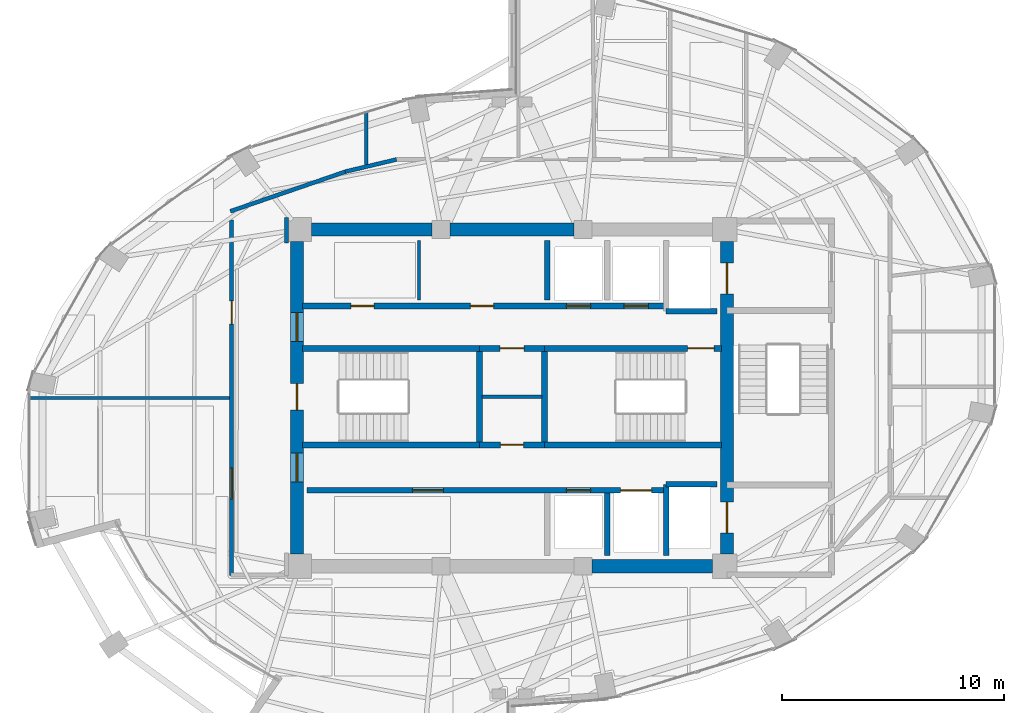
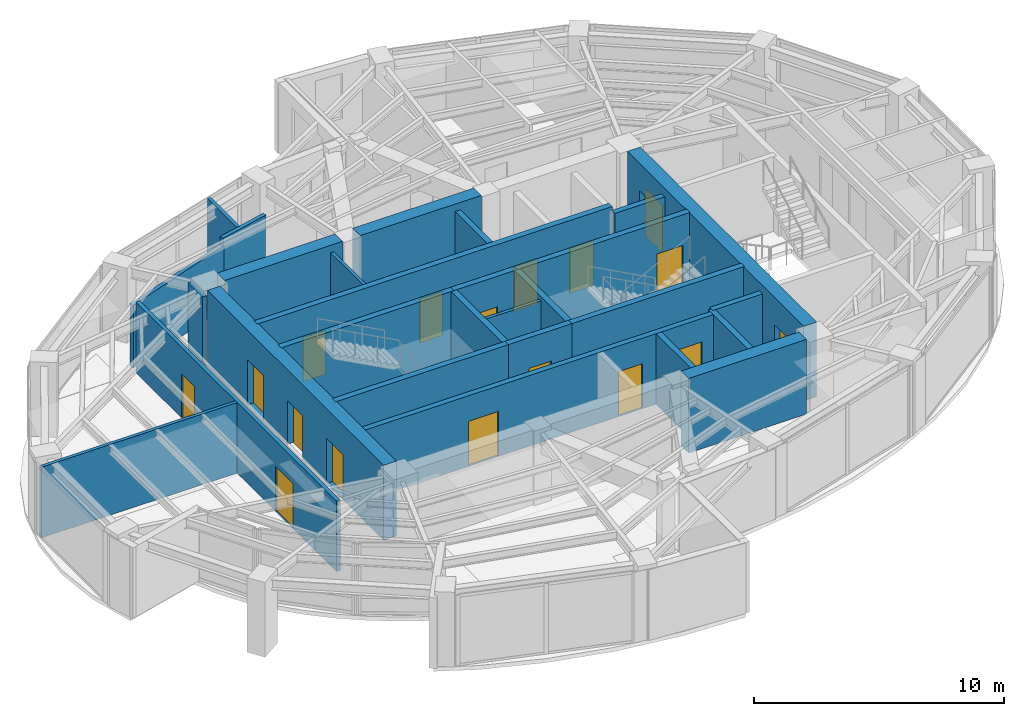
# One storey, part 18 of 22: 28 walls, 17 doors, 17 openings.
"""IFC4 building model written with IfcOpenShell, lengths in metres."""

from ifc_helpers import new_model, si_unit, direction, frame, frame_2d, origin, place, context, subcontext, project, spatial, rectangle, extrude, material, layer, layer_set, type_object, element, fill, save


model = new_model("IFC4")

# Units and contexts
model_context = context("Model", 3, precision=1e-05, world=origin(), true_north=direction((0.0, 1.0)))
body_context = subcontext(model_context, "Body", "Model", "MODEL_VIEW")
ifc_project = project(units=[si_unit("LENGTHUNIT", "METRE"), si_unit("AREAUNIT", "SQUARE_METRE"), si_unit("VOLUMEUNIT", "CUBIC_METRE"), si_unit("PLANEANGLEUNIT", "RADIAN"), si_unit("MASSUNIT", "GRAM", prefix="KILO")], contexts=[model_context])

# Site, building, storey
site_placement = place(None, origin())
site = spatial("IfcSite", under=ifc_project, at=site_placement, CompositionType="ELEMENT")
building_placement = place(site_placement, origin())
building = spatial("IfcBuilding", under=site, at=building_placement, Name="Lazwardi Medical Tower", CompositionType="ELEMENT")
storey_placement = place(building_placement, frame((0.0, 0.0, 224.01611328125)))
storey = spatial("IfcBuildingStorey", under=building, at=storey_placement, Name="L58", CompositionType="ELEMENT", Elevation=224.01611328125)

# Walls
ifc_material_1 = material(Name="Fire-rated gypsum board on steel stud", Category="steel")
ifc_layer_1 = layer(ifc_material_1, 0.179931640625)
ifc_layer_set_1 = layer_set([ifc_layer_1], Name="Fire-rated gypsum board on steel stud")
wall_type_1 = type_object("IfcWallType", Name="WL-COR-180", PredefinedType="PARTITIONING", material=ifc_layer_set_1)
wall_1_placement = place(storey_placement, frame((23.294189453125, 36.422119140625, 0.0), z_axis=(0.0, 0.0, 1.0), x_axis=(0.945493277461, 0.325641616316, 0.0)))
element("IfcWall", 1, at=wall_1_placement, inside=storey, type_object=wall_type_1, Name="L58 Corridor partition 1", PredefinedType="PARTITIONING", context=body_context, shape_type="SweptSolid", body=[
    extrude(rectangle(XDim=5.5615234375, YDim=0.179931640625, at=frame_2d((2.78076171875, 0.0))), origin(), (0.0, 0.0, 1.0), 3.072998046875),
])
wall_2_placement = place(storey_placement, frame((28.475830078125, 38.2109375, 0.0), z_axis=(0.0, 0.0, 1.0), x_axis=(0.973030562203, 0.230676234189, 0.0)))
element("IfcWall", 2, at=wall_2_placement, inside=storey, type_object=wall_type_1, Name="L58 Corridor partition 2", PredefinedType="PARTITIONING", context=body_context, shape_type="SweptSolid", body=[
    extrude(rectangle(XDim=2.377197265625, YDim=0.179931640625, at=frame_2d((1.1884765625, 0.0))), origin(), (0.0, 0.0, 1.0), 3.447998046875),
])
wall_3_placement = place(storey_placement, frame((25.830078125, 36.139892578125, 0.0), z_axis=(0.0, 0.0, 1.0), x_axis=(0.0, -1.0, 0.0)))
element("IfcWall", 3, at=wall_3_placement, inside=storey, type_object=wall_type_1, Name="L58 Corridor partition 7", PredefinedType="PARTITIONING", context=body_context, shape_type="SweptSolid", body=[
    extrude(rectangle(XDim=1.14990234375, YDim=0.179931640625, at=frame_2d((0.574951171875, 0.0))), origin(), (0.0, 0.0, 1.0), 3.447998046875),
])

# Wall, openings, doors
wall_4_placement = place(storey_placement, frame((23.35009765625, 19.97998046875, 0.0), z_axis=(0.0, 0.0, 1.0), x_axis=(0.0, 1.0, 0.0)))
wall_4 = element("IfcWall", 4, at=wall_4_placement, inside=storey, type_object=wall_type_1, Name="L58 Corridor partition 10", PredefinedType="PARTITIONING", context=body_context, shape_type="SweptSolid", body=[
    extrude(rectangle(XDim=16.04248046875, YDim=0.179931640625, at=frame_2d((8.021240234375, 0.0))), origin(), (0.0, 0.0, 1.0), 3.447998046875),
])
opening_1_placement = place(wall_4_placement, frame((3.468994140625, 0.0, 0.0)))
opening_1 = element("IfcOpeningElement", 5, at=opening_1_placement, cuts=wall_4, Name="Opening D-L58-010", PredefinedType="OPENING", context=body_context, shape_type="SweptSolid", body=[
    extrude(rectangle(XDim=1.39990234375, YDim=2.199951171875, at=frame_2d((0.699951171875, 1.10009765625))), frame((0.0, 0.099853515625, 0.0), z_axis=(0.0, -1.0, 0.0), x_axis=(1.0, 0.0, 0.0)), (0.0, 0.0, 1.0), 0.199951171875),
])
opening_2_placement = place(wall_4_placement, frame((11.34716796875, 0.0, 0.0)))
opening_2 = element("IfcOpeningElement", 6, at=opening_2_placement, cuts=wall_4, Name="Opening D-L58-019", PredefinedType="OPENING", context=body_context, shape_type="SweptSolid", body=[
    extrude(rectangle(XDim=1.050048828125, YDim=2.14990234375, at=frame_2d((0.52490234375, 1.074951171875))), frame((0.0, 0.099853515625, 0.0), z_axis=(0.0, -1.0, 0.0), x_axis=(1.0, 0.0, 0.0)), (0.0, 0.0, 1.0), 0.199951171875),
])
ifc_material_2 = material(Name="Anti-microbial laminate hospital leaf")
door_type_1 = type_object("IfcDoorType", Name="DR-BED-1400", OperationType="NOTDEFINED", PredefinedType="DOOR", material=ifc_material_2)
door_1_placement = place(opening_1_placement, origin())
door_1 = element("IfcDoor", 7, at=door_1_placement, inside=storey, type_object=door_type_1, Name="L58 Sky Garden Lounge Door 01", OperationType="SINGLE_SWING_RIGHT", OverallHeight=2.199951171875, OverallWidth=1.39990234375, PredefinedType="DOOR", context=body_context, shape_type="SweptSolid", body=[
    extrude(rectangle(XDim=1.39990234375, YDim=2.199951171875, at=frame_2d((0.699951171875, 1.10009765625))), frame((0.0, 0.02490234375, 0.0), z_axis=(0.0, -1.0, 0.0), x_axis=(1.0, 0.0, 0.0)), (0.0, 0.0, 1.0), 0.050048828125),
])
fill(opening_1, door_1)
door_type_2 = type_object("IfcDoorType", Name="DR-CLN-1050", OperationType="NOTDEFINED", PredefinedType="DOOR", material=ifc_material_2)
door_2_placement = place(opening_2_placement, origin())
door_2 = element("IfcDoor", 8, at=door_2_placement, inside=storey, type_object=door_type_2, Name="L58 Outpatient Consultation Suite Door 10", OperationType="SINGLE_SWING_LEFT", OverallHeight=2.14990234375, OverallWidth=1.050048828125, PredefinedType="DOOR", context=body_context, shape_type="SweptSolid", body=[
    extrude(rectangle(XDim=1.050048828125, YDim=2.14990234375, at=frame_2d((0.52490234375, 1.074951171875))), frame((0.0, 0.02490234375, 0.0), z_axis=(0.0, -1.0, 0.0), x_axis=(1.0, 0.0, 0.0)), (0.0, 0.0, 1.0), 0.050048828125),
])
fill(opening_2, door_2)

ifc_material_3 = material(Name="Concrete C60/75", Category="concrete")
ifc_layer_2 = layer(ifc_material_3, 0.60009765625)
ifc_layer_set_2 = layer_set([ifc_layer_2], Name="Concrete C60/75")
wall_type_2 = type_object("IfcWallType", Name="WL-CORE-600", PredefinedType="SHEAR", material=ifc_layer_set_2)
wall_5_placement = place(storey_placement, frame((26.300048828125, 20.949951171875, 0.0), z_axis=(0.0, 0.0, 1.0), x_axis=(0.0, 1.0, 0.0)))
wall_5 = element("IfcWall", 9, at=wall_5_placement, inside=storey, type_object=wall_type_2, Name="Core wall CW-S3 west L58", PredefinedType="SHEAR", context=body_context, shape_type="SweptSolid", body=[
    extrude(rectangle(XDim=14.10009765625, YDim=0.60009765625, at=frame_2d((7.050048828125, 0.0))), origin(), (0.0, 0.0, 1.0), 3.64794921875),
])
opening_3_placement = place(wall_5_placement, frame((6.5, 0.0, 0.0)))
opening_3 = element("IfcOpeningElement", 10, at=opening_3_placement, cuts=wall_5, Name="Opening D-L58-020", PredefinedType="OPENING", context=body_context, shape_type="SweptSolid", body=[
    extrude(rectangle(XDim=1.199951171875, YDim=2.14990234375, at=frame_2d((0.60009765625, 1.074951171875))), frame((0.0, 0.31005859375, 0.0), z_axis=(0.0, -1.0, 0.0), x_axis=(1.0, 0.0, 0.0)), (0.0, 0.0, 1.0), 0.6201171875),
])
opening_4_placement = place(wall_5_placement, frame((9.60009765625, 0.0, 0.0)))
opening_4 = element("IfcOpeningElement", 11, at=opening_4_placement, cuts=wall_5, Name="Opening D-L58-008", PredefinedType="OPENING", context=body_context, shape_type="SweptSolid", body=[
    extrude(rectangle(XDim=1.300048828125, YDim=2.199951171875, at=frame_2d((0.64990234375, 1.10009765625))), frame((0.0, 0.31005859375, 0.0), z_axis=(0.0, -1.0, 0.0), x_axis=(1.0, 0.0, 0.0)), (0.0, 0.0, 1.0), 0.6201171875),
])
opening_5_placement = place(wall_5_placement, frame((3.260009765625, 0.0, 0.0)))
opening_5 = element("IfcOpeningElement", 12, at=opening_5_placement, cuts=wall_5, Name="Opening D-L58-009", PredefinedType="OPENING", context=body_context, shape_type="SweptSolid", body=[
    extrude(rectangle(XDim=1.300048828125, YDim=2.199951171875, at=frame_2d((0.64990234375, 1.10009765625))), frame((0.0, 0.31005859375, 0.0), z_axis=(0.0, -1.0, 0.0), x_axis=(1.0, 0.0, 0.0)), (0.0, 0.0, 1.0), 0.6201171875),
])
ifc_material_4 = material(Name="Fire-rated steel leaf and frame", Category="steel")
door_type_3 = type_object("IfcDoorType", Name="DR-FFL-1300", OperationType="NOTDEFINED", PredefinedType="DOOR", material=ifc_material_4)
door_3_placement = place(opening_4_placement, origin())
door_3 = element("IfcDoor", 13, at=door_3_placement, inside=storey, type_object=door_type_3, Name="L58 North Lift Lobby Door", OperationType="SINGLE_SWING_RIGHT", OverallHeight=2.199951171875, OverallWidth=1.300048828125, PredefinedType="DOOR", context=body_context, shape_type="SweptSolid", body=[
    extrude(rectangle(XDim=1.300048828125, YDim=2.199951171875, at=frame_2d((0.64990234375, 1.10009765625))), frame((0.0, 0.02490234375, 0.0), z_axis=(0.0, -1.0, 0.0), x_axis=(1.0, 0.0, 0.0)), (0.0, 0.0, 1.0), 0.050048828125),
])
fill(opening_4, door_3)
door_4_placement = place(opening_5_placement, origin())
door_4 = element("IfcDoor", 14, at=door_4_placement, inside=storey, type_object=door_type_3, Name="L58 South Lift Lobby Door", OperationType="SINGLE_SWING_LEFT", OverallHeight=2.199951171875, OverallWidth=1.300048828125, PredefinedType="DOOR", context=body_context, shape_type="SweptSolid", body=[
    extrude(rectangle(XDim=1.300048828125, YDim=2.199951171875, at=frame_2d((0.64990234375, 1.10009765625))), frame((0.0, 0.02490234375, 0.0), z_axis=(0.0, -1.0, 0.0), x_axis=(1.0, 0.0, 0.0)), (0.0, 0.0, 1.0), 0.050048828125),
])
fill(opening_5, door_4)
door_type_4 = type_object("IfcDoorType", Name="DR-STR-1200", OperationType="NOTDEFINED", PredefinedType="DOOR", material=ifc_material_4)
door_5_placement = place(opening_3_placement, origin())
door_5 = element("IfcDoor", 15, at=door_5_placement, inside=storey, type_object=door_type_4, Name="L58 Exit Stair ST1 Door", OperationType="SINGLE_SWING_RIGHT", OverallHeight=2.14990234375, OverallWidth=1.199951171875, PredefinedType="DOOR", context=body_context, shape_type="SweptSolid", body=[
    extrude(rectangle(XDim=1.199951171875, YDim=2.14990234375, at=frame_2d((0.60009765625, 1.074951171875))), frame((0.0, 0.02490234375, 0.0), z_axis=(0.0, -1.0, 0.0), x_axis=(1.0, 0.0, 0.0)), (0.0, 0.0, 1.0), 0.050048828125),
])
fill(opening_3, door_5)

wall_6_placement = place(storey_placement, frame((45.699951171875, 20.949951171875, 0.0), z_axis=(0.0, 0.0, 1.0), x_axis=(0.0, 1.0, 0.0)))
wall_6 = element("IfcWall", 16, at=wall_6_placement, inside=storey, type_object=wall_type_2, Name="Core wall CW-S3 east L58", PredefinedType="SHEAR", context=body_context, shape_type="SweptSolid", body=[
    extrude(rectangle(XDim=14.10009765625, YDim=0.60009765625, at=frame_2d((7.050048828125, 0.0))), origin(), (0.0, 0.0, 1.0), 3.64794921875),
])
opening_6_placement = place(wall_6_placement, frame((11.75, 0.0, 0.0)))
opening_6 = element("IfcOpeningElement", 17, at=opening_6_placement, cuts=wall_6, Name="Opening LD-L58-001", PredefinedType="OPENING", context=body_context, shape_type="SweptSolid", body=[
    extrude(rectangle(XDim=1.39990234375, YDim=2.300048828125, at=frame_2d((0.699951171875, 1.14990234375))), frame((0.0, 0.31005859375, 0.0), z_axis=(0.0, -1.0, 0.0), x_axis=(1.0, 0.0, 0.0)), (0.0, 0.0, 1.0), 0.6201171875),
])
opening_7_placement = place(wall_6_placement, frame((0.949951171875, 0.0, 0.0)))
opening_7 = element("IfcOpeningElement", 18, at=opening_7_placement, cuts=wall_6, Name="Opening LD-L58-002", PredefinedType="OPENING", context=body_context, shape_type="SweptSolid", body=[
    extrude(rectangle(XDim=1.39990234375, YDim=2.300048828125, at=frame_2d((0.699951171875, 1.14990234375))), frame((0.0, 0.31005859375, 0.0), z_axis=(0.0, -1.0, 0.0), x_axis=(1.0, 0.0, 0.0)), (0.0, 0.0, 1.0), 0.6201171875),
])
ifc_material_5 = material(Name="Brushed stainless steel bed-lift landing door", Category="steel")
door_type_5 = type_object("IfcDoorType", Name="DR-LFT-1400", OperationType="NOTDEFINED", PredefinedType="DOOR", material=ifc_material_5)
door_6_placement = place(opening_6_placement, origin())
door_6 = element("IfcDoor", 19, at=door_6_placement, inside=storey, type_object=door_type_5, Name="L58 Lift Landing Door FL-01", OperationType="SLIDING_TO_LEFT", OverallHeight=2.300048828125, OverallWidth=1.39990234375, PredefinedType="DOOR", context=body_context, shape_type="SweptSolid", body=[
    extrude(rectangle(XDim=1.39990234375, YDim=2.300048828125, at=frame_2d((0.699951171875, 1.14990234375))), frame((0.0, 0.02490234375, 0.0), z_axis=(0.0, -1.0, 0.0), x_axis=(1.0, 0.0, 0.0)), (0.0, 0.0, 1.0), 0.050048828125),
])
fill(opening_6, door_6)
door_7_placement = place(opening_7_placement, origin())
door_7 = element("IfcDoor", 20, at=door_7_placement, inside=storey, type_object=door_type_5, Name="L58 Lift Landing Door FL-02", OperationType="SLIDING_TO_LEFT", OverallHeight=2.300048828125, OverallWidth=1.39990234375, PredefinedType="DOOR", context=body_context, shape_type="SweptSolid", body=[
    extrude(rectangle(XDim=1.39990234375, YDim=2.300048828125, at=frame_2d((0.699951171875, 1.14990234375))), frame((0.0, 0.02490234375, 0.0), z_axis=(0.0, -1.0, 0.0), x_axis=(1.0, 0.0, 0.0)), (0.0, 0.0, 1.0), 0.050048828125),
])
fill(opening_7, door_7)

# Walls
wall_7_placement = place(storey_placement, frame((26.949951171875, 35.60009765625, 0.0), z_axis=(0.0, 0.0, 1.0), x_axis=(1.0, 0.0, 0.0)))
element("IfcWall", 21, at=wall_7_placement, inside=storey, type_object=wall_type_2, Name="Core wall CW-S3 N1 L58", PredefinedType="SHEAR", context=body_context, shape_type="SweptSolid", body=[
    extrude(rectangle(XDim=5.449951171875, YDim=0.60009765625, at=frame_2d((2.72509765625, 0.0))), origin(), (0.0, 0.0, 1.0), 3.64794921875),
])
wall_8_placement = place(storey_placement, frame((33.199951171875, 35.60009765625, 0.0), z_axis=(0.0, 0.0, 1.0), x_axis=(1.0, 0.0, 0.0)))
element("IfcWall", 22, at=wall_8_placement, inside=storey, type_object=wall_type_2, Name="Core wall CW-S3 N2 L58", PredefinedType="SHEAR", context=body_context, shape_type="SweptSolid", body=[
    extrude(rectangle(XDim=5.60009765625, YDim=0.60009765625, at=frame_2d((2.800048828125, 0.0))), origin(), (0.0, 0.0, 1.0), 3.64794921875),
])
wall_9_placement = place(storey_placement, frame((39.60009765625, 20.39990234375, 0.0), z_axis=(0.0, 0.0, 1.0), x_axis=(1.0, 0.0, 0.0)))
element("IfcWall", 23, at=wall_9_placement, inside=storey, type_object=wall_type_2, Name="Core wall CW-S3 S3 L58", PredefinedType="SHEAR", context=body_context, shape_type="SweptSolid", body=[
    extrude(rectangle(XDim=5.449951171875, YDim=0.60009765625, at=frame_2d((2.72509765625, 0.0))), origin(), (0.0, 0.0, 1.0), 3.64794921875),
])

# Wall, openings, doors
ifc_material_6 = material(Name="Autoclaved aerated concrete blockwork", Category="masonry")
ifc_layer_3 = layer(ifc_material_6, 0.25)
ifc_layer_set_3 = layer_set([ifc_layer_3], Name="Autoclaved aerated concrete blockwork")
wall_type_3 = type_object("IfcWallType", Name="WL-SHAFT-250", PredefinedType="SOLIDWALL", material=ifc_layer_set_3)
wall_10_placement = place(storey_placement, frame((26.75, 23.830078125, 0.0), z_axis=(0.0, 0.0, 1.0), x_axis=(1.0, 0.0, 0.0)))
wall_10 = element("IfcWall", 24, at=wall_10_placement, inside=storey, type_object=wall_type_3, Name="L58 South lift bank front wall", PredefinedType="SOLIDWALL", context=body_context, shape_type="SweptSolid", body=[
    extrude(rectangle(XDim=16.199951171875, YDim=0.25, at=frame_2d((8.10009765625, 0.0))), origin(), (0.0, 0.0, 1.0), 3.447998046875),
])
opening_8_placement = place(wall_10_placement, frame((4.75, 0.0, 0.0)))
opening_8 = element("IfcOpeningElement", 25, at=opening_8_placement, cuts=wall_10, Name="Opening D-L58-005", PredefinedType="OPENING", context=body_context, shape_type="SweptSolid", body=[
    extrude(rectangle(XDim=1.39990234375, YDim=2.199951171875, at=frame_2d((0.699951171875, 1.10009765625))), frame((0.0, 0.135009765625, 0.0), z_axis=(0.0, -1.0, 0.0), x_axis=(1.0, 0.0, 0.0)), (0.0, 0.0, 1.0), 0.27001953125),
])
opening_9_placement = place(wall_10_placement, frame((11.699951171875, 0.0, 0.0)))
opening_9 = element("IfcOpeningElement", 26, at=opening_9_placement, cuts=wall_10, Name="Opening LD-L58-006", PredefinedType="OPENING", context=body_context, shape_type="SweptSolid", body=[
    extrude(rectangle(XDim=1.10009765625, YDim=2.199951171875, at=frame_2d((0.550048828125, 1.10009765625))), frame((0.0, 0.135009765625, 0.0), z_axis=(0.0, -1.0, 0.0), x_axis=(1.0, 0.0, 0.0)), (0.0, 0.0, 1.0), 0.27001953125),
])
opening_10_placement = place(wall_10_placement, frame((14.14990234375, 0.0, 0.0)))
opening_10 = element("IfcOpeningElement", 27, at=opening_10_placement, cuts=wall_10, Name="Opening LD-L58-003", PredefinedType="OPENING", context=body_context, shape_type="SweptSolid", body=[
    extrude(rectangle(XDim=1.39990234375, YDim=2.300048828125, at=frame_2d((0.699951171875, 1.14990234375))), frame((0.0, 0.135009765625, 0.0), z_axis=(0.0, -1.0, 0.0), x_axis=(1.0, 0.0, 0.0)), (0.0, 0.0, 1.0), 0.27001953125),
])
door_8_placement = place(opening_8_placement, origin())
door_8 = element("IfcDoor", 28, at=door_8_placement, inside=storey, type_object=door_type_1, Name="L58 Core Dialysis Door", OperationType="SINGLE_SWING_RIGHT", OverallHeight=2.199951171875, OverallWidth=1.39990234375, PredefinedType="DOOR", context=body_context, shape_type="SweptSolid", body=[
    extrude(rectangle(XDim=1.39990234375, YDim=2.199951171875, at=frame_2d((0.699951171875, 1.10009765625))), frame((0.0, 0.02490234375, 0.0), z_axis=(0.0, -1.0, 0.0), x_axis=(1.0, 0.0, 0.0)), (0.0, 0.0, 1.0), 0.050048828125),
])
fill(opening_8, door_8)
ifc_material_7 = material(Name="Brushed bronze stainless steel landing door", Category="steel")
door_type_6 = type_object("IfcDoorType", Name="DR-LFT-1100", OperationType="NOTDEFINED", PredefinedType="DOOR", material=ifc_material_7)
door_9_placement = place(opening_9_placement, origin())
door_9 = element("IfcDoor", 29, at=door_9_placement, inside=storey, type_object=door_type_6, Name="L58 Lift Landing Door PL-11", OperationType="SLIDING_TO_LEFT", OverallHeight=2.199951171875, OverallWidth=1.10009765625, PredefinedType="DOOR", context=body_context, shape_type="SweptSolid", body=[
    extrude(rectangle(XDim=1.10009765625, YDim=2.199951171875, at=frame_2d((0.550048828125, 1.10009765625))), frame((0.0, 0.02490234375, 0.0), z_axis=(0.0, -1.0, 0.0), x_axis=(1.0, 0.0, 0.0)), (0.0, 0.0, 1.0), 0.050048828125),
])
fill(opening_9, door_9)
door_10_placement = place(opening_10_placement, origin())
door_10 = element("IfcDoor", 30, at=door_10_placement, inside=storey, type_object=door_type_5, Name="L58 Lift Landing Door FL-03", OperationType="SLIDING_TO_LEFT", OverallHeight=2.300048828125, OverallWidth=1.39990234375, PredefinedType="DOOR", context=body_context, shape_type="SweptSolid", body=[
    extrude(rectangle(XDim=1.39990234375, YDim=2.300048828125, at=frame_2d((0.699951171875, 1.14990234375))), frame((0.0, 0.02490234375, 0.0), z_axis=(0.0, -1.0, 0.0), x_axis=(1.0, 0.0, 0.0)), (0.0, 0.0, 1.0), 0.050048828125),
])
fill(opening_10, door_10)

# Walls
wall_11_placement = place(storey_placement, frame((42.949951171875, 31.919921875, 0.0), z_axis=(0.0, 0.0, 1.0), x_axis=(1.0, 0.0, 0.0)))
element("IfcWall", 31, at=wall_11_placement, inside=storey, type_object=wall_type_3, Name="L58 FL-01 South shaft wall", PredefinedType="SOLIDWALL", context=body_context, shape_type="SweptSolid", body=[
    extrude(rectangle(XDim=2.300048828125, YDim=0.25, at=frame_2d((1.14990234375, 0.0))), origin(), (0.0, 0.0, 1.0), 3.447998046875),
])
wall_12_placement = place(storey_placement, frame((42.949951171875, 20.89990234375, 0.0), z_axis=(0.0, 0.0, 1.0), x_axis=(0.0, 1.0, 0.0)))
element("IfcWall", 32, at=wall_12_placement, inside=storey, type_object=wall_type_3, Name="L58 FL-02 West shaft wall", PredefinedType="SOLIDWALL", context=body_context, shape_type="SweptSolid", body=[
    extrude(rectangle(XDim=3.2001953125, YDim=0.25, at=frame_2d((1.60009765625, 0.0))), origin(), (0.0, 0.0, 1.0), 3.447998046875),
])
wall_13_placement = place(storey_placement, frame((42.949951171875, 24.10009765625, 0.0), z_axis=(0.0, 0.0, 1.0), x_axis=(1.0, 0.0, 0.0)))
element("IfcWall", 33, at=wall_13_placement, inside=storey, type_object=wall_type_3, Name="L58 FL-02 North shaft wall", PredefinedType="SOLIDWALL", context=body_context, shape_type="SweptSolid", body=[
    extrude(rectangle(XDim=2.300048828125, YDim=0.25, at=frame_2d((1.14990234375, 0.0))), origin(), (0.0, 0.0, 1.0), 3.447998046875),
])
wall_14_placement = place(storey_placement, frame((37.60009765625, 32.419921875, 0.0), z_axis=(0.0, 0.0, 1.0), x_axis=(0.0, 1.0, 0.0)))
element("IfcWall", 34, at=wall_14_placement, inside=storey, type_object=wall_type_3, Name="L58 North hoistway divider", PredefinedType="SOLIDWALL", context=body_context, shape_type="SweptSolid", body=[
    extrude(rectangle(XDim=2.68017578125, YDim=0.25, at=frame_2d((1.340087890625, 0.0))), origin(), (0.0, 0.0, 1.0), 3.447998046875),
])
wall_15_placement = place(storey_placement, frame((40.300048828125, 20.89990234375, 0.0), z_axis=(0.0, 0.0, 1.0), x_axis=(0.0, 1.0, 0.0)))
element("IfcWall", 35, at=wall_15_placement, inside=storey, type_object=wall_type_3, Name="L58 South hoistway divider", PredefinedType="SOLIDWALL", context=body_context, shape_type="SweptSolid", body=[
    extrude(rectangle(XDim=2.800048828125, YDim=0.25, at=frame_2d((1.39990234375, 0.0))), origin(), (0.0, 0.0, 1.0), 3.447998046875),
])
ifc_material_8 = material(Name="Concrete C50/60", Category="concrete")
ifc_layer_4 = layer(ifc_material_8, 0.27001953125)
ifc_layer_set_4 = layer_set([ifc_layer_4], Name="Concrete C50/60")
wall_type_4 = type_object("IfcWallType", Name="WL-STR-250", PredefinedType="SHEAR", material=ifc_layer_set_4)
wall_16_placement = place(storey_placement, frame((26.550048828125, 30.235107421875, 0.0), z_axis=(0.0, 0.0, 1.0), x_axis=(1.0, 0.0, 0.0)))
element("IfcWall", 36, at=wall_16_placement, inside=storey, type_object=wall_type_4, Name="L58 ST1 North shear shaft wall SW-S1", PredefinedType="SHEAR", context=body_context, shape_type="SweptSolid", body=[
    extrude(rectangle(XDim=7.98486328125, YDim=0.27001953125, at=frame_2d((3.992431640625, 0.0))), origin(), (0.0, 0.0, 1.0), 3.64794921875),
])

# Wall, opening, door
wall_17_placement = place(storey_placement, frame((34.534912109375, 30.235107421875, 0.0), z_axis=(0.0, 0.0, 1.0), x_axis=(1.0, 0.0, 0.0)))
wall_17 = element("IfcWall", 37, at=wall_17_placement, inside=storey, type_object=wall_type_4, Name="L58 Core service North shear wall SW-S1", PredefinedType="SHEAR", context=body_context, shape_type="SweptSolid", body=[
    extrude(rectangle(XDim=2.93017578125, YDim=0.27001953125, at=frame_2d((1.465087890625, 0.0))), origin(), (0.0, 0.0, 1.0), 3.64794921875),
])
opening_11_placement = place(wall_17_placement, frame((0.9150390625, 0.0, 0.0)))
opening_11 = element("IfcOpeningElement", 38, at=opening_11_placement, cuts=wall_17, Name="Opening D-L58-002", PredefinedType="OPENING", context=body_context, shape_type="SweptSolid", body=[
    extrude(rectangle(XDim=1.10009765625, YDim=2.14990234375, at=frame_2d((0.550048828125, 1.074951171875))), frame((0.0, 0.14501953125, 0.0), z_axis=(0.0, -1.0, 0.0), x_axis=(1.0, 0.0, 0.0)), (0.0, 0.0, 1.0), 0.2900390625),
])
door_type_7 = type_object("IfcDoorType", Name="DR-PLT-1100", OperationType="NOTDEFINED", PredefinedType="DOOR", material=ifc_material_4)
door_11_placement = place(opening_11_placement, origin())
door_11 = element("IfcDoor", 39, at=door_11_placement, inside=storey, type_object=door_type_7, Name="L58 Electrical Room Door", OperationType="SINGLE_SWING_LEFT", OverallHeight=2.14990234375, OverallWidth=1.10009765625, PredefinedType="DOOR", context=body_context, shape_type="SweptSolid", body=[
    extrude(rectangle(XDim=1.10009765625, YDim=2.14990234375, at=frame_2d((0.550048828125, 1.074951171875))), frame((0.0, 0.02490234375, 0.0), z_axis=(0.0, -1.0, 0.0), x_axis=(1.0, 0.0, 0.0)), (0.0, 0.0, 1.0), 0.050048828125),
])
fill(opening_11, door_11)

wall_18_placement = place(storey_placement, frame((37.465087890625, 30.235107421875, 0.0), z_axis=(0.0, 0.0, 1.0), x_axis=(1.0, 0.0, 0.0)))
wall_18 = element("IfcWall", 40, at=wall_18_placement, inside=storey, type_object=wall_type_4, Name="L58 ST2 North shear shaft wall SW-S1", PredefinedType="SHEAR", context=body_context, shape_type="SweptSolid", body=[
    extrude(rectangle(XDim=7.98486328125, YDim=0.27001953125, at=frame_2d((3.992431640625, 0.0))), origin(), (0.0, 0.0, 1.0), 3.64794921875),
])
opening_12_placement = place(wall_18_placement, frame((6.455078125, 0.0, 0.0)))
opening_12 = element("IfcOpeningElement", 41, at=opening_12_placement, cuts=wall_18, Name="Opening D-L58-021", PredefinedType="OPENING", context=body_context, shape_type="SweptSolid", body=[
    extrude(rectangle(XDim=1.199951171875, YDim=2.14990234375, at=frame_2d((0.60009765625, 1.074951171875))), frame((0.0, 0.14501953125, 0.0), z_axis=(0.0, -1.0, 0.0), x_axis=(1.0, 0.0, 0.0)), (0.0, 0.0, 1.0), 0.2900390625),
])
door_12_placement = place(opening_12_placement, origin())
door_12 = element("IfcDoor", 42, at=door_12_placement, inside=storey, type_object=door_type_4, Name="L58 Exit Stair ST2 Door", OperationType="SINGLE_SWING_LEFT", OverallHeight=2.14990234375, OverallWidth=1.199951171875, PredefinedType="DOOR", context=body_context, shape_type="SweptSolid", body=[
    extrude(rectangle(XDim=1.199951171875, YDim=2.14990234375, at=frame_2d((0.60009765625, 1.074951171875))), frame((0.0, 0.02490234375, 0.0), z_axis=(0.0, -1.0, 0.0), x_axis=(1.0, 0.0, 0.0)), (0.0, 0.0, 1.0), 0.050048828125),
])
fill(opening_12, door_12)

# Wall
wall_19_placement = place(storey_placement, frame((26.550048828125, 25.885009765625, 0.0), z_axis=(0.0, 0.0, 1.0), x_axis=(1.0, 0.0, 0.0)))
element("IfcWall", 43, at=wall_19_placement, inside=storey, type_object=wall_type_4, Name="L58 ST1 South shear shaft wall SW-S1", PredefinedType="SHEAR", context=body_context, shape_type="SweptSolid", body=[
    extrude(rectangle(XDim=7.98486328125, YDim=0.27001953125, at=frame_2d((3.992431640625, 0.0))), origin(), (0.0, 0.0, 1.0), 3.64794921875),
])

# Wall, opening, door
wall_20_placement = place(storey_placement, frame((34.534912109375, 25.885009765625, 0.0), z_axis=(0.0, 0.0, 1.0), x_axis=(1.0, 0.0, 0.0)))
wall_20 = element("IfcWall", 44, at=wall_20_placement, inside=storey, type_object=wall_type_4, Name="L58 Core service South shear wall SW-S1", PredefinedType="SHEAR", context=body_context, shape_type="SweptSolid", body=[
    extrude(rectangle(XDim=2.93017578125, YDim=0.27001953125, at=frame_2d((1.465087890625, 0.0))), origin(), (0.0, 0.0, 1.0), 3.64794921875),
])
opening_13_placement = place(wall_20_placement, frame((0.93994140625, 0.0, 0.0)))
opening_13 = element("IfcOpeningElement", 45, at=opening_13_placement, cuts=wall_20, Name="Opening D-L58-001", PredefinedType="OPENING", context=body_context, shape_type="SweptSolid", body=[
    extrude(rectangle(XDim=1.050048828125, YDim=2.14990234375, at=frame_2d((0.52490234375, 1.074951171875))), frame((0.0, 0.14501953125, 0.0), z_axis=(0.0, -1.0, 0.0), x_axis=(1.0, 0.0, 0.0)), (0.0, 0.0, 1.0), 0.2900390625),
])
door_13_placement = place(opening_13_placement, origin())
door_13 = element("IfcDoor", 46, at=door_13_placement, inside=storey, type_object=door_type_2, Name="L58 Dirty Sluice Door", OperationType="SINGLE_SWING_RIGHT", OverallHeight=2.14990234375, OverallWidth=1.050048828125, PredefinedType="DOOR", context=body_context, shape_type="SweptSolid", body=[
    extrude(rectangle(XDim=1.050048828125, YDim=2.14990234375, at=frame_2d((0.52490234375, 1.074951171875))), frame((0.0, 0.02490234375, 0.0), z_axis=(0.0, -1.0, 0.0), x_axis=(1.0, 0.0, 0.0)), (0.0, 0.0, 1.0), 0.050048828125),
])
fill(opening_13, door_13)

# Walls
wall_21_placement = place(storey_placement, frame((37.465087890625, 25.885009765625, 0.0), z_axis=(0.0, 0.0, 1.0), x_axis=(1.0, 0.0, 0.0)))
element("IfcWall", 47, at=wall_21_placement, inside=storey, type_object=wall_type_4, Name="L58 ST2 South shear shaft wall SW-S1", PredefinedType="SHEAR", context=body_context, shape_type="SweptSolid", body=[
    extrude(rectangle(XDim=7.98486328125, YDim=0.27001953125, at=frame_2d((3.992431640625, 0.0))), origin(), (0.0, 0.0, 1.0), 3.64794921875),
])
for number, where, z_axis, x_axis, name in (
    (48, (34.534912109375, 26.02001953125, 0.0), (0.0, 0.0, 1.0), (0.0, 1.0, 0.0), "L58 ST1 East shear shaft wall SW-S1"),
    (49, (37.465087890625, 26.02001953125, 0.0), (0.0, 0.0, 1.0), (0.0, 1.0, 0.0), "L58 ST2 West shear shaft wall SW-S1"),
):
    element("IfcWall", number, at=place(storey_placement, frame(where, z_axis=z_axis, x_axis=x_axis)), inside=storey, type_object=wall_type_4, Name=name, PredefinedType="SHEAR", context=body_context, shape_type="SweptSolid", body=[
        extrude(rectangle(XDim=4.080078125, YDim=0.27001953125, at=frame_2d((2.0400390625, 0.0))), origin(), (0.0, 0.0, 1.0), 3.64794921875),
    ])

# Wall, openings, doors
wall_22_placement = place(storey_placement, frame((26.550048828125, 32.14990234375, 0.0), z_axis=(0.0, 0.0, 1.0), x_axis=(1.0, 0.0, 0.0)))
wall_22 = element("IfcWall", 50, at=wall_22_placement, inside=storey, type_object=wall_type_4, Name="L58 North lift bank shear wall SW-S1", PredefinedType="SHEAR", context=body_context, shape_type="SweptSolid", body=[
    extrude(rectangle(XDim=16.39990234375, YDim=0.27001953125, at=frame_2d((8.199951171875, 0.0))), origin(), (0.0, 0.0, 1.0), 3.64794921875),
])
opening_14_placement = place(wall_22_placement, frame((2.175048828125, 0.0, 0.0)))
opening_14 = element("IfcOpeningElement", 51, at=opening_14_placement, cuts=wall_22, Name="Opening D-L58-003", PredefinedType="OPENING", context=body_context, shape_type="SweptSolid", body=[
    extrude(rectangle(XDim=1.050048828125, YDim=2.14990234375, at=frame_2d((0.52490234375, 1.074951171875))), frame((0.0, 0.14501953125, 0.0), z_axis=(0.0, -1.0, 0.0), x_axis=(1.0, 0.0, 0.0)), (0.0, 0.0, 1.0), 0.2900390625),
])
opening_15_placement = place(wall_22_placement, frame((7.574951171875, 0.0, 0.0)))
opening_15 = element("IfcOpeningElement", 52, at=opening_15_placement, cuts=wall_22, Name="Opening D-L58-004", PredefinedType="OPENING", context=body_context, shape_type="SweptSolid", body=[
    extrude(rectangle(XDim=1.050048828125, YDim=2.14990234375, at=frame_2d((0.52490234375, 1.074951171875))), frame((0.0, 0.14501953125, 0.0), z_axis=(0.0, -1.0, 0.0), x_axis=(1.0, 0.0, 0.0)), (0.0, 0.0, 1.0), 0.2900390625),
])
opening_16_placement = place(wall_22_placement, frame((11.89990234375, 0.0, 0.0)))
opening_16 = element("IfcOpeningElement", 53, at=opening_16_placement, cuts=wall_22, Name="Opening LD-L58-004", PredefinedType="OPENING", context=body_context, shape_type="SweptSolid", body=[
    extrude(rectangle(XDim=1.10009765625, YDim=2.199951171875, at=frame_2d((0.550048828125, 1.10009765625))), frame((0.0, 0.14501953125, 0.0), z_axis=(0.0, -1.0, 0.0), x_axis=(1.0, 0.0, 0.0)), (0.0, 0.0, 1.0), 0.2900390625),
])
opening_17_placement = place(wall_22_placement, frame((14.5, 0.0, 0.0)))
opening_17 = element("IfcOpeningElement", 54, at=opening_17_placement, cuts=wall_22, Name="Opening LD-L58-005", PredefinedType="OPENING", context=body_context, shape_type="SweptSolid", body=[
    extrude(rectangle(XDim=1.10009765625, YDim=2.199951171875, at=frame_2d((0.550048828125, 1.10009765625))), frame((0.0, 0.14501953125, 0.0), z_axis=(0.0, -1.0, 0.0), x_axis=(1.0, 0.0, 0.0)), (0.0, 0.0, 1.0), 0.2900390625),
])
door_14_placement = place(opening_14_placement, origin())
door_14 = element("IfcDoor", 55, at=door_14_placement, inside=storey, type_object=door_type_2, Name="L58 Core Consult Door", OperationType="SINGLE_SWING_RIGHT", OverallHeight=2.14990234375, OverallWidth=1.050048828125, PredefinedType="DOOR", context=body_context, shape_type="SweptSolid", body=[
    extrude(rectangle(XDim=1.050048828125, YDim=2.14990234375, at=frame_2d((0.52490234375, 1.074951171875))), frame((0.0, 0.02490234375, 0.0), z_axis=(0.0, -1.0, 0.0), x_axis=(1.0, 0.0, 0.0)), (0.0, 0.0, 1.0), 0.050048828125),
])
fill(opening_14, door_14)
door_15_placement = place(opening_15_placement, origin())
door_15 = element("IfcDoor", 56, at=door_15_placement, inside=storey, type_object=door_type_2, Name="L58 Core Pharmacy Door", OperationType="SINGLE_SWING_LEFT", OverallHeight=2.14990234375, OverallWidth=1.050048828125, PredefinedType="DOOR", context=body_context, shape_type="SweptSolid", body=[
    extrude(rectangle(XDim=1.050048828125, YDim=2.14990234375, at=frame_2d((0.52490234375, 1.074951171875))), frame((0.0, 0.02490234375, 0.0), z_axis=(0.0, -1.0, 0.0), x_axis=(1.0, 0.0, 0.0)), (0.0, 0.0, 1.0), 0.050048828125),
])
fill(opening_15, door_15)
door_16_placement = place(opening_16_placement, origin())
door_16 = element("IfcDoor", 57, at=door_16_placement, inside=storey, type_object=door_type_6, Name="L58 Lift Landing Door PL-09", OperationType="SLIDING_TO_LEFT", OverallHeight=2.199951171875, OverallWidth=1.10009765625, PredefinedType="DOOR", context=body_context, shape_type="SweptSolid", body=[
    extrude(rectangle(XDim=1.10009765625, YDim=2.199951171875, at=frame_2d((0.550048828125, 1.10009765625))), frame((0.0, 0.02490234375, 0.0), z_axis=(0.0, -1.0, 0.0), x_axis=(1.0, 0.0, 0.0)), (0.0, 0.0, 1.0), 0.050048828125),
])
fill(opening_16, door_16)
door_17_placement = place(opening_17_placement, origin())
door_17 = element("IfcDoor", 58, at=door_17_placement, inside=storey, type_object=door_type_6, Name="L58 Lift Landing Door PL-10", OperationType="SLIDING_TO_LEFT", OverallHeight=2.199951171875, OverallWidth=1.10009765625, PredefinedType="DOOR", context=body_context, shape_type="SweptSolid", body=[
    extrude(rectangle(XDim=1.10009765625, YDim=2.199951171875, at=frame_2d((0.550048828125, 1.10009765625))), frame((0.0, 0.02490234375, 0.0), z_axis=(0.0, -1.0, 0.0), x_axis=(1.0, 0.0, 0.0)), (0.0, 0.0, 1.0), 0.050048828125),
])
fill(opening_17, door_17)

# Walls
ifc_material_9 = material(Name="Acoustic gypsum board partition")
ifc_layer_5 = layer(ifc_material_9, 0.14990234375)
ifc_layer_set_5 = layer_set([ifc_layer_5], Name="Acoustic gypsum board partition")
wall_type_5 = type_object("IfcWallType", Name="WL-WRD-150", PredefinedType="PARTITIONING", material=ifc_layer_set_5)
wall_23_placement = place(storey_placement, frame((34.64990234375, 28.06005859375, 0.0), z_axis=(0.0, 0.0, 1.0), x_axis=(1.0, 0.0, 0.0)))
element("IfcWall", 59, at=wall_23_placement, inside=storey, type_object=wall_type_5, Name="L58 Core service divider", PredefinedType="PARTITIONING", context=body_context, shape_type="SweptSolid", body=[
    extrude(rectangle(XDim=2.7001953125, YDim=0.14990234375, at=frame_2d((1.35009765625, 0.0))), origin(), (0.0, 0.0, 1.0), 3.447998046875),
])
wall_24_placement = place(storey_placement, frame((31.800048828125, 32.419921875, 0.0), z_axis=(0.0, 0.0, 1.0), x_axis=(0.0, 1.0, 0.0)))
element("IfcWall", 60, at=wall_24_placement, inside=storey, type_object=wall_type_5, Name="L58 Freed bay2 N split", PredefinedType="PARTITIONING", context=body_context, shape_type="SweptSolid", body=[
    extrude(rectangle(XDim=2.68017578125, YDim=0.14990234375, at=frame_2d((1.340087890625, 0.0))), origin(), (0.0, 0.0, 1.0), 3.447998046875),
])
wall_25_placement = place(storey_placement, frame((14.228271484375, 28.0, 0.0), z_axis=(0.0, 0.0, 1.0), x_axis=(1.0, 0.0, 0.0)))
element("IfcWall", 61, at=wall_25_placement, inside=storey, type_object=wall_type_5, Name="L58 Room partition 1", PredefinedType="PARTITIONING", context=body_context, shape_type="SweptSolid", body=[
    extrude(rectangle(XDim=9.03173828125, YDim=0.14990234375, at=frame_2d((4.515869140625, 0.0))), origin(), (0.0, 0.0, 1.0), 3.447998046875),
])
wall_26_placement = place(storey_placement, frame((29.429931640625, 38.52880859375, 0.0), z_axis=(0.0, 0.0, 1.0), x_axis=(0.0, 1.0, 0.0)))
element("IfcWall", 62, at=wall_26_placement, inside=storey, type_object=wall_type_5, Name="L58 Room partition 6", PredefinedType="PARTITIONING", context=body_context, shape_type="SweptSolid", body=[
    extrude(rectangle(XDim=2.345947265625, YDim=0.14990234375, at=frame_2d((1.1728515625, 0.0))), origin(), (0.0, 0.0, 1.0), 3.447998046875),
])

save(model, "model.ifc")
